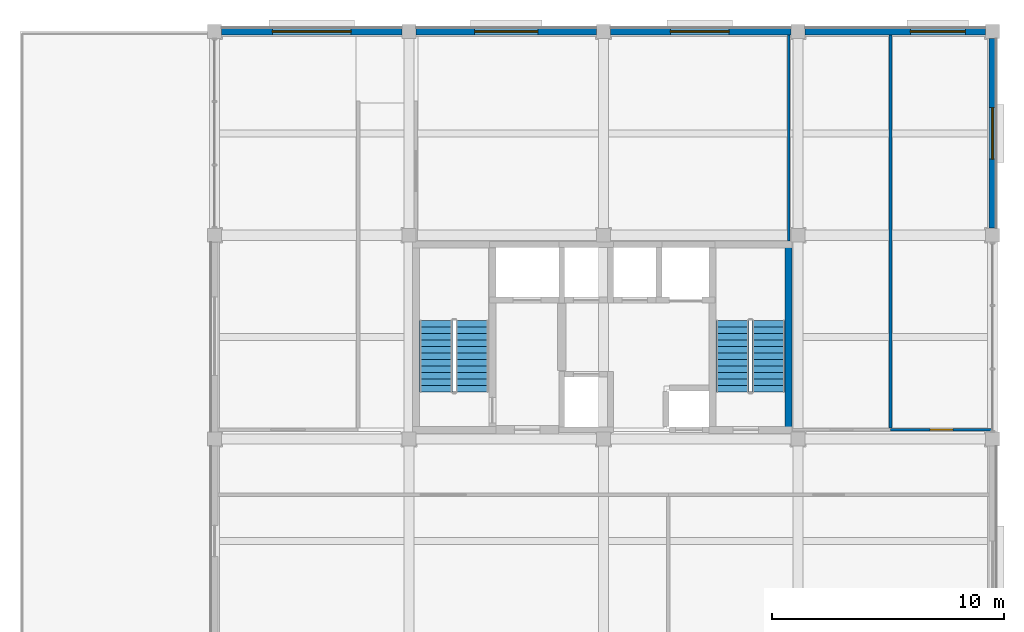
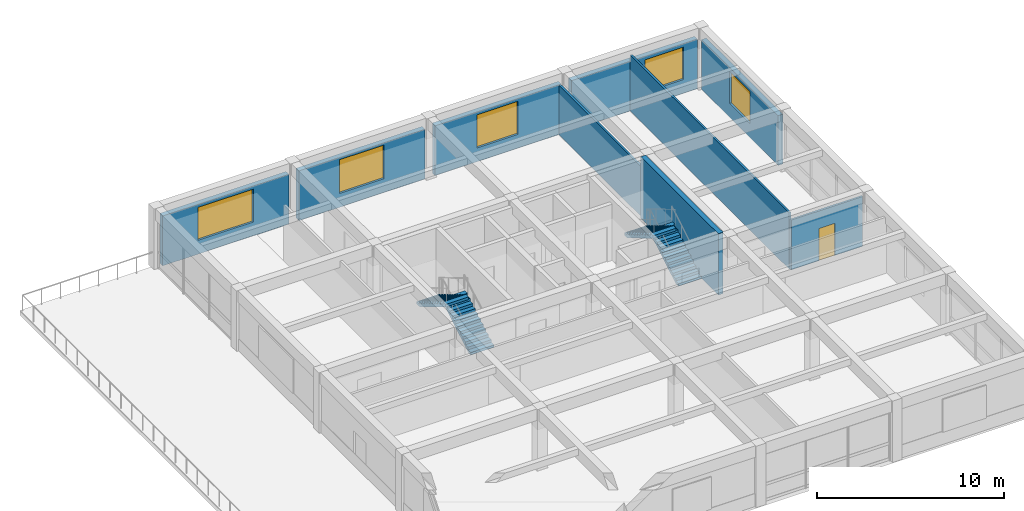
# One storey, part 7 of 10: 9 walls, 5 windows, 4 stair flights, 1 door, 6 openings, 2 elements without a shape of their own.
"""IFC4 building model written with IfcOpenShell, lengths in metres."""

import ifcopenshell
import ifcopenshell.guid

model = None  # the IFC model being written
_history = None  # IfcOwnerHistory: only IFC2X3 demands one
_inside = {}  # id of a spatial element -> (the spatial element, [elements in it])
_under = {}  # id of a project, library or spatial element -> (it, [spatial elements below it])
_declared = {}  # id of a project -> (the project, [libraries it declares])
_typed = {}  # id of a type object -> (the type object, [elements of that type])
_made_of = {}  # id of a material, layer set ... -> (it, [elements and type objects made of it])


def new_model(schema):
    """Start an empty IFC model of exactly this schema.

    Asked for "IFC4X3", IfcOpenShell would pick the latest addendum, in which some entities
    have other attributes; the version numbers below select the first issue.
    IFC2X3 requires an IfcOwnerHistory on every rooted entity: one is made here for all.
    """
    global model, _history
    if schema == "IFC4X3":
        model = ifcopenshell.file(schema_version=(4, 3, 0, 0))
    else:
        model = ifcopenshell.file(schema=schema)
    _inside.clear()
    _under.clear()
    _declared.clear()
    _typed.clear()
    _made_of.clear()
    _history = None
    if model.schema == "IFC2X3":
        org = make("IfcOrganization", Name="unknown")
        user = make(
            "IfcPersonAndOrganization",
            ThePerson=make("IfcPerson", FamilyName="unknown"),
            TheOrganization=org,
        )
        app = make(
            "IfcApplication",
            ApplicationDeveloper=org,
            Version="unknown",
            ApplicationFullName="unknown",
            ApplicationIdentifier="unknown",
        )
        _history = make(
            "IfcOwnerHistory",
            OwningUser=user,
            OwningApplication=app,
            ChangeAction="ADDED",
            CreationDate=0,
        )
    return model


def make(cls, **values):
    """One entity of the class cls with the attributes given. An attribute that is None is left unset."""
    return model.create_entity(
        cls, **{name: value for name, value in values.items() if value is not None}
    )


def rooted(cls, **values):
    """An entity with a GlobalId (a new one), such as an element, a storey or a relation."""
    return make(cls, GlobalId=ifcopenshell.guid.new(), OwnerHistory=_history, **values)


def si_unit(unit_type, name, prefix=None):
    """IfcSIUnit, for example si_unit("LENGTHUNIT", "METRE", prefix="MILLI")."""
    return make("IfcSIUnit", UnitType=unit_type, Prefix=prefix, Name=name)


def assignment(units):
    """IfcUnitAssignment: the units of a project."""
    return None if units is None else make("IfcUnitAssignment", Units=units)


def point(xyz):
    """IfcCartesianPoint."""
    return None if xyz is None else make("IfcCartesianPoint", Coordinates=xyz)


def direction(xyz):
    """IfcDirection."""
    return None if xyz is None else make("IfcDirection", DirectionRatios=xyz)


def frame(location, z_axis=None, x_axis=None):
    """IfcAxis2Placement3D, a coordinate frame: its origin and axes. An axis left out is left unset."""
    return make(
        "IfcAxis2Placement3D",
        Location=point(location),
        Axis=direction(z_axis),
        RefDirection=direction(x_axis),
    )


def frame_2d(location, x_axis=None):
    """IfcAxis2Placement2D, a coordinate frame in the plane: its origin and x axis."""
    return make(
        "IfcAxis2Placement2D", Location=point(location), RefDirection=direction(x_axis)
    )


def origin():
    """The frame at (0, 0, 0) with its axes left unset."""
    return frame((0.0, 0.0, 0.0))


def place(relative_to, where):
    """IfcLocalPlacement: puts the frame where relative to a parent placement (None: the world)."""
    return make(
        "IfcLocalPlacement", PlacementRelTo=relative_to, RelativePlacement=where
    )


def context(
    kind, dimensions, precision=None, world=None, true_north=None, identifier=None
):
    """IfcGeometricRepresentationContext, for example the 3D "Model" context."""
    return make(
        "IfcGeometricRepresentationContext",
        ContextIdentifier=identifier,
        ContextType=kind,
        CoordinateSpaceDimension=dimensions,
        Precision=precision,
        WorldCoordinateSystem=world,
        TrueNorth=true_north,
    )


def subcontext(parent, identifier, kind, view, scale=None):
    """IfcGeometricRepresentationSubContext, for example "Body" below "Model"."""
    return make(
        "IfcGeometricRepresentationSubContext",
        ContextIdentifier=identifier,
        ContextType=kind,
        ParentContext=parent,
        TargetScale=scale,
        TargetView=view,
    )


def project(units=None, contexts=None):
    """IfcProject with its units and contexts."""
    return rooted(
        "IfcProject",
        Name="project",
        RepresentationContexts=contexts,
        UnitsInContext=assignment(units),
    )


def spatial(cls, under=None, at=None, **own):
    """A site, building, storey or space (cls), placed at a placement, below another one or the project."""
    s = rooted(cls, ObjectPlacement=at, **own)
    if under is not None:
        _under.setdefault(under.id(), (under, []))[1].append(s)
    return s


def polyline(points):
    """IfcPolyline through the points."""
    return make("IfcPolyline", Points=[point(p) for p in points])


def profile(cls, at=None, kind="AREA", **sizes):
    """A parametric profile (cls). Its sizes go by their IFC names, for example OverallWidth=200.0."""
    return make(cls, ProfileType=kind, Position=at, **sizes)


def rectangle(**sizes):
    """IfcRectangleProfileDef."""
    return profile("IfcRectangleProfileDef", **sizes)


def outline(outer, holes=None, kind="AREA"):
    """IfcArbitraryClosedProfileDef: a profile drawn as a closed curve; with holes, ...WithVoids."""
    if holes is None:
        return make("IfcArbitraryClosedProfileDef", ProfileType=kind, OuterCurve=outer)
    return make(
        "IfcArbitraryProfileDefWithVoids",
        ProfileType=kind,
        OuterCurve=outer,
        InnerCurves=holes,
    )


def extrude(swept, where, along, depth):
    """IfcExtrudedAreaSolid: the profile swept, set in the frame where, extruded along a direction by depth."""
    return make(
        "IfcExtrudedAreaSolid",
        SweptArea=swept,
        Position=where,
        ExtrudedDirection=direction(along),
        Depth=depth,
    )


def shape(context_of_items, identifier, shape_type, items):
    """IfcShapeRepresentation: the items that make up one representation, for example the "Body"."""
    return make(
        "IfcShapeRepresentation",
        ContextOfItems=context_of_items,
        RepresentationIdentifier=identifier,
        RepresentationType=shape_type,
        Items=items,
    )


def material(Name=None, Category=None):
    """IfcMaterial."""
    return make("IfcMaterial", Name=Name, Category=Category)


def layer(
    of_material, thickness, ventilated=None, Name=None, Category=None, Priority=None
):
    """IfcMaterialLayer: one layer of a wall or slab, of a material (None: an air gap)."""
    return make(
        "IfcMaterialLayer",
        Material=of_material,
        LayerThickness=thickness,
        IsVentilated=ventilated,
        Name=Name,
        Category=Category,
        Priority=Priority,
    )


def layer_set(layers, Name=None):
    """IfcMaterialLayerSet."""
    return make("IfcMaterialLayerSet", MaterialLayers=layers, LayerSetName=Name)


def made_of(thing, what):
    """Note that an element or type object is made of a material, layer set ...; save() writes the relation."""
    if what is not None:
        _made_of.setdefault(what.id(), (what, []))[1].append(thing)
    return thing


def type_object(cls, material=None, **own):
    """A type object (cls), such as IfcWallType, which elements share."""
    return made_of(rooted(cls, **own), material)


def element(
    cls,
    number,
    at=None,
    inside=None,
    cuts=None,
    type_object=None,
    material=None,
    context=None,
    identifier="Body",
    shape_type=None,
    held_by="IfcProductDefinitionShape",
    body=None,
    shapes=None,
    **own,
):
    """One element of the class cls, such as IfcWall. Its Tag is "e" and its number.

    at: its placement. inside: the storey or other place that contains it. cuts: it is an
    opening in that element (IfcRelVoidsElement). A single representation is given by context,
    identifier, shape_type and body (its items); several are given by shapes. held_by: the class
    of the entity that holds the representations. save() writes the other relations.
    """
    e = rooted(cls, Tag="e%d" % number, ObjectPlacement=at, **own)
    if body is not None:
        shapes = [shape(context, identifier, shape_type, body)]
    if shapes is not None:
        e.Representation = make(held_by, Representations=shapes)
    if inside is not None:
        _inside.setdefault(inside.id(), (inside, []))[1].append(e)
    if cuts is not None:
        rooted(
            "IfcRelVoidsElement", RelatingBuildingElement=cuts, RelatedOpeningElement=e
        )
    if type_object is not None:
        _typed.setdefault(type_object.id(), (type_object, []))[1].append(e)
    return made_of(e, material)


def fill(opening, filler):
    """IfcRelFillsElement: the door or window that sits in an opening."""
    return rooted(
        "IfcRelFillsElement",
        RelatingOpeningElement=opening,
        RelatedBuildingElement=filler,
    )


def aggregate(whole, parts):
    """IfcRelAggregates: a whole, such as a stair, and the parts it consists of."""
    return rooted("IfcRelAggregates", RelatingObject=whole, RelatedObjects=parts)


def save(model, path):
    """Write the relations noted so far, then the file.

    IfcRelAggregates (storeys below a building ...), IfcRelContainedInSpatialStructure (elements
    in a storey), IfcRelDefinesByType, IfcRelAssociatesMaterial and IfcRelDeclares: one each for
    every whole, place, type object, material and project.
    """
    for whole, parts in _under.values():
        aggregate(whole, parts)
    for where, things in _inside.values():
        rooted(
            "IfcRelContainedInSpatialStructure",
            RelatedElements=things,
            RelatingStructure=where,
        )
    for kind, things in _typed.values():
        rooted("IfcRelDefinesByType", RelatedObjects=things, RelatingType=kind)
    for what, things in _made_of.values():
        rooted("IfcRelAssociatesMaterial", RelatedObjects=things, RelatingMaterial=what)
    for by, libraries in _declared.values():
        rooted("IfcRelDeclares", RelatingContext=by, RelatedDefinitions=libraries)
    model.write(path)


model = new_model("IFC4")

# Units and contexts
model_context = context("Model", 3, precision=1e-05, world=origin(), true_north=direction((0.0, 1.0)))
body_context = subcontext(model_context, "Body", "Model", "MODEL_VIEW")
ifc_project = project(units=[si_unit("LENGTHUNIT", "METRE"), si_unit("AREAUNIT", "SQUARE_METRE"), si_unit("VOLUMEUNIT", "CUBIC_METRE"), si_unit("PLANEANGLEUNIT", "RADIAN"), si_unit("MASSUNIT", "GRAM", prefix="KILO")], contexts=[model_context])

# Site, building, storey
site_placement = place(None, origin())
site = spatial("IfcSite", under=ifc_project, at=site_placement, CompositionType="ELEMENT")
building_placement = place(site_placement, origin())
building = spatial("IfcBuilding", under=site, at=building_placement, Name="Kemercrest Conservatory and Botanical Centre", CompositionType="ELEMENT")
storey_placement = place(building_placement, frame((0.0, 0.0, 48.199951171875)))
storey = spatial("IfcBuildingStorey", under=building, at=storey_placement, Name="L12", CompositionType="ELEMENT", Elevation=48.199951171875)

# Wall
ifc_material_1 = material(Name="Concrete C50/60", Category="concrete")
ifc_layer_1 = layer(ifc_material_1, 0.300048828125)
ifc_layer_set_1 = layer_set([ifc_layer_1], Name="Concrete C50/60")
wall_type_1 = type_object("IfcWallType", Name="CW-STAIR", PredefinedType="SHEAR", material=ifc_layer_set_1)
wall_1_placement = place(storey_placement, frame((167.199951171875, 105.050048828125, 0.0), z_axis=(0.0, 0.0, 1.0), x_axis=(0.0, 1.0, 0.0)))
element("IfcWall", 1, at=wall_1_placement, inside=storey, type_object=wall_type_1, Name="Stair core ST-V4B shear wall E", PredefinedType="SHEAR", context=body_context, shape_type="SweptSolid", body=[
    extrude(rectangle(XDim=8.300048828125, YDim=0.300048828125, at=frame_2d((4.14990234375, 0.0))), origin(), (0.0, 0.0, 1.0), 4.0),
])

# Wall, opening, window
ifc_material_2 = material(Name="Precast concrete C40/50", Category="concrete")
ifc_layer_2 = layer(ifc_material_2, 0.300048828125)
ifc_layer_set_2 = layer_set([ifc_layer_2], Name="Precast concrete C40/50")
wall_type_2 = type_object("IfcWallType", Name="W-EXT300", PredefinedType="SOLIDWALL", material=ifc_layer_set_2)
wall_2_placement = place(storey_placement, frame((176.0, 113.909912109375, 0.0), z_axis=(0.0, 0.0, 1.0), x_axis=(0.0, 1.0, 0.0)))
wall_2 = element("IfcWall", 2, at=wall_2_placement, inside=storey, type_object=wall_type_2, Name="Exterior almasik wall W-EXT300 (WAL:L12:EXT-315)", PredefinedType="SOLIDWALL", context=body_context, shape_type="SweptSolid", body=[
    extrude(rectangle(XDim=8.18017578125, YDim=0.300048828125, at=frame_2d((4.090087890625, 0.0))), origin(), (0.0, 0.0, 1.0), 3.25),
])
opening_1_placement = place(wall_2_placement, frame((2.97998046875, 0.0, 0.89990234375)))
opening_1 = element("IfcOpeningElement", 3, at=opening_1_placement, cuts=wall_2, Name="Opening WT-52", PredefinedType="OPENING", context=body_context, shape_type="SweptSolid", body=[
    extrude(rectangle(XDim=2.219970703125, YDim=2.080078125, at=frame_2d((1.10986328125, 1.0400390625))), frame((0.0, 0.16015625, 0.0), z_axis=(0.0, -1.0, 0.0), x_axis=(1.0, 0.0, 0.0)), (0.0, 0.0, 1.0), 0.320068359375),
])
ifc_material_3 = material(Name="Thermally broken bronze-anodized aluminium and triple glazing", Category="aluminium")
window_type_1 = type_object("IfcWindowType", Name="WT-52", PartitioningType="SINGLE_PANEL", PredefinedType="WINDOW", material=ifc_material_3)
window_1_placement = place(opening_1_placement, origin())
window_1 = element("IfcWindow", 4, at=window_1_placement, inside=storey, type_object=window_type_1, Name="Exterior window WT-52 (WIN:L12:EXT-315)", OverallHeight=2.080078125, OverallWidth=2.219970703125, PartitioningType="SINGLE_PANEL", PredefinedType="WINDOW", context=body_context, shape_type="SweptSolid", body=[
    extrude(rectangle(XDim=2.219970703125, YDim=2.080078125, at=frame_2d((1.10986328125, 1.0400390625))), frame((0.0, 0.030029296875, 0.0), z_axis=(0.0, -1.0, 0.0), x_axis=(1.0, 0.0, 0.0)), (0.0, 0.0, 1.0), 0.06005859375),
])
fill(opening_1, window_1)

wall_3_placement = place(storey_placement, frame((175.68994140625, 122.39990234375, 0.0), z_axis=(0.0, 0.0, 1.0), x_axis=(-1.0, 0.0, 0.0)))
wall_3 = element("IfcWall", 5, at=wall_3_placement, inside=storey, type_object=wall_type_2, Name="Exterior almasik wall W-EXT300 (WAL:L12:EXT-316)", PredefinedType="SOLIDWALL", context=body_context, shape_type="SweptSolid", body=[
    extrude(rectangle(XDim=7.780029296875, YDim=0.300048828125, at=frame_2d((3.89013671875, 0.0))), origin(), (0.0, 0.0, 1.0), 3.25),
])
opening_2_placement = place(wall_3_placement, frame((0.85498046875, 0.0, 0.89990234375)))
opening_2 = element("IfcOpeningElement", 6, at=opening_2_placement, cuts=wall_3, Name="Opening WT-53", PredefinedType="OPENING", context=body_context, shape_type="SweptSolid", body=[
    extrude(rectangle(XDim=2.3798828125, YDim=2.1201171875, at=frame_2d((1.18994140625, 1.06005859375))), frame((0.0, 0.16015625, 0.0), z_axis=(0.0, -1.0, 0.0), x_axis=(1.0, 0.0, 0.0)), (0.0, 0.0, 1.0), 0.320068359375),
])
window_type_2 = type_object("IfcWindowType", Name="WT-53", PartitioningType="SINGLE_PANEL", PredefinedType="WINDOW", material=ifc_material_3)
window_2_placement = place(opening_2_placement, origin())
window_2 = element("IfcWindow", 7, at=window_2_placement, inside=storey, type_object=window_type_2, Name="Exterior window WT-53 (WIN:L12:EXT-316)", OverallHeight=2.1201171875, OverallWidth=2.3798828125, PartitioningType="SINGLE_PANEL", PredefinedType="WINDOW", context=body_context, shape_type="SweptSolid", body=[
    extrude(rectangle(XDim=2.3798828125, YDim=2.1201171875, at=frame_2d((1.18994140625, 1.06005859375))), frame((0.0, 0.030029296875, 0.0), z_axis=(0.0, -1.0, 0.0), x_axis=(1.0, 0.0, 0.0)), (0.0, 0.0, 1.0), 0.06005859375),
])
fill(opening_2, window_2)

wall_4_placement = place(storey_placement, frame((167.2900390625, 122.39990234375, 0.0), z_axis=(0.0, 0.0, 1.0), x_axis=(-1.0, 0.0, 0.0)))
wall_4 = element("IfcWall", 8, at=wall_4_placement, inside=storey, type_object=wall_type_2, Name="Exterior almasik wall W-EXT300 (WAL:L12:EXT-317)", PredefinedType="SOLIDWALL", context=body_context, shape_type="SweptSolid", body=[
    extrude(rectangle(XDim=7.780029296875, YDim=0.300048828125, at=frame_2d((3.89013671875, 0.0))), origin(), (0.0, 0.0, 1.0), 3.25),
])
opening_3_placement = place(wall_4_placement, frame((2.6650390625, 0.0, 0.89990234375)))
opening_3 = element("IfcOpeningElement", 9, at=opening_3_placement, cuts=wall_4, Name="Opening WT-54", PredefinedType="OPENING", context=body_context, shape_type="SweptSolid", body=[
    extrude(rectangle(XDim=2.5400390625, YDim=2.159912109375, at=frame_2d((1.27001953125, 1.080078125))), frame((0.0, 0.16015625, 0.0), z_axis=(0.0, -1.0, 0.0), x_axis=(1.0, 0.0, 0.0)), (0.0, 0.0, 1.0), 0.320068359375),
])
window_type_3 = type_object("IfcWindowType", Name="WT-54", PartitioningType="SINGLE_PANEL", PredefinedType="WINDOW", material=ifc_material_3)
window_3_placement = place(opening_3_placement, origin())
window_3 = element("IfcWindow", 10, at=window_3_placement, inside=storey, type_object=window_type_3, Name="Exterior window WT-54 (WIN:L12:EXT-317)", OverallHeight=2.159912109375, OverallWidth=2.5400390625, PartitioningType="SINGLE_PANEL", PredefinedType="WINDOW", context=body_context, shape_type="SweptSolid", body=[
    extrude(rectangle(XDim=2.5400390625, YDim=2.159912109375, at=frame_2d((1.27001953125, 1.080078125))), frame((0.0, 0.030029296875, 0.0), z_axis=(0.0, -1.0, 0.0), x_axis=(1.0, 0.0, 0.0)), (0.0, 0.0, 1.0), 0.06005859375),
])
fill(opening_3, window_3)

wall_5_placement = place(storey_placement, frame((158.889892578125, 122.39990234375, 0.0), z_axis=(0.0, 0.0, 1.0), x_axis=(-1.0, 0.0, 0.0)))
wall_5 = element("IfcWall", 11, at=wall_5_placement, inside=storey, type_object=wall_type_2, Name="Exterior almasik wall W-EXT300 (WAL:L12:EXT-318)", PredefinedType="SOLIDWALL", context=body_context, shape_type="SweptSolid", body=[
    extrude(rectangle(XDim=7.77978515625, YDim=0.300048828125, at=frame_2d((3.889892578125, 0.0))), origin(), (0.0, 0.0, 1.0), 3.25),
])
opening_4_placement = place(wall_5_placement, frame((2.52001953125, 0.0, 0.89990234375)))
opening_4 = element("IfcOpeningElement", 12, at=opening_4_placement, cuts=wall_5, Name="Opening WT-55", PredefinedType="OPENING", context=body_context, shape_type="SweptSolid", body=[
    extrude(rectangle(XDim=2.739990234375, YDim=2.199951171875, at=frame_2d((1.3701171875, 1.10009765625))), frame((0.0, 0.16015625, 0.0), z_axis=(0.0, -1.0, 0.0), x_axis=(1.0, 0.0, 0.0)), (0.0, 0.0, 1.0), 0.320068359375),
])
window_type_4 = type_object("IfcWindowType", Name="WT-55", PartitioningType="SINGLE_PANEL", PredefinedType="WINDOW", material=ifc_material_3)
window_4_placement = place(opening_4_placement, origin())
window_4 = element("IfcWindow", 13, at=window_4_placement, inside=storey, type_object=window_type_4, Name="Exterior window WT-55 (WIN:L12:EXT-318)", OverallHeight=2.199951171875, OverallWidth=2.739990234375, PartitioningType="SINGLE_PANEL", PredefinedType="WINDOW", context=body_context, shape_type="SweptSolid", body=[
    extrude(rectangle(XDim=2.739990234375, YDim=2.199951171875, at=frame_2d((1.3701171875, 1.10009765625))), frame((0.0, 0.030029296875, 0.0), z_axis=(0.0, -1.0, 0.0), x_axis=(1.0, 0.0, 0.0)), (0.0, 0.0, 1.0), 0.06005859375),
])
fill(opening_4, window_4)

wall_6_placement = place(storey_placement, frame((150.489990234375, 122.39990234375, 0.0), z_axis=(0.0, 0.0, 1.0), x_axis=(-1.0, 0.0, 0.0)))
wall_6 = element("IfcWall", 14, at=wall_6_placement, inside=storey, type_object=wall_type_2, Name="Exterior almasik wall W-EXT300 (WAL:L12:EXT-319)", PredefinedType="SOLIDWALL", context=body_context, shape_type="SweptSolid", body=[
    extrude(rectangle(XDim=7.780029296875, YDim=0.300048828125, at=frame_2d((3.89013671875, 0.0))), origin(), (0.0, 0.0, 1.0), 3.25),
])
opening_5_placement = place(wall_6_placement, frame((2.18994140625, 0.0, 0.89990234375)))
opening_5 = element("IfcOpeningElement", 15, at=opening_5_placement, cuts=wall_6, Name="Opening WT-20", PredefinedType="OPENING", context=body_context, shape_type="SweptSolid", body=[
    extrude(rectangle(XDim=3.39990234375, YDim=2.14990234375, at=frame_2d((1.699951171875, 1.074951171875))), frame((0.0, 0.16015625, 0.0), z_axis=(0.0, -1.0, 0.0), x_axis=(1.0, 0.0, 0.0)), (0.0, 0.0, 1.0), 0.320068359375),
])
window_type_5 = type_object("IfcWindowType", Name="WT-20", PartitioningType="SINGLE_PANEL", PredefinedType="WINDOW", material=ifc_material_3)
window_5_placement = place(opening_5_placement, origin())
window_5 = element("IfcWindow", 16, at=window_5_placement, inside=storey, type_object=window_type_5, Name="Exterior window WT-20 (WIN:L12:EXT-319)", OverallHeight=2.14990234375, OverallWidth=3.39990234375, PartitioningType="SINGLE_PANEL", PredefinedType="WINDOW", context=body_context, shape_type="SweptSolid", body=[
    extrude(rectangle(XDim=3.39990234375, YDim=2.14990234375, at=frame_2d((1.699951171875, 1.074951171875))), frame((0.0, 0.030029296875, 0.0), z_axis=(0.0, -1.0, 0.0), x_axis=(1.0, 0.0, 0.0)), (0.0, 0.0, 1.0), 0.06005859375),
])
fill(opening_5, window_5)

# Wall, opening, door
ifc_material_4 = material(Name="Moisture-resistant gypsum board partition", Category="gypsum")
ifc_layer_3 = layer(ifc_material_4, 0.125)
ifc_layer_set_3 = layer_set([ifc_layer_3], Name="Moisture-resistant gypsum board partition")
wall_type_3 = type_object("IfcWallType", Name="W-PART125", PredefinedType="PARTITIONING", material=ifc_layer_set_3)
wall_7_placement = place(storey_placement, frame((171.60009765625, 105.199951171875, 0.0), z_axis=(0.0, 0.0, 1.0), x_axis=(1.0, 0.0, 0.0)))
wall_7 = element("IfcWall", 17, at=wall_7_placement, inside=storey, type_object=wall_type_3, Name="Interior partition W-PART125 #272", PredefinedType="PARTITIONING", context=body_context, shape_type="SweptSolid", body=[
    extrude(rectangle(XDim=4.39990234375, YDim=0.125, at=frame_2d((2.199951171875, 0.0))), origin(), (0.0, 0.0, 1.0), 3.2451171875),
])
opening_6_placement = place(wall_7_placement, frame((1.7099609375, 0.0, 0.0)))
opening_6 = element("IfcOpeningElement", 18, at=opening_6_placement, cuts=wall_7, Name="Opening D261", PredefinedType="OPENING", context=body_context, shape_type="SweptSolid", body=[
    extrude(rectangle(XDim=0.97998046875, YDim=2.10009765625, at=frame_2d((0.489990234375, 1.050048828125))), frame((0.0, 0.072509765625, 0.0), z_axis=(0.0, -1.0, 0.0), x_axis=(1.0, 0.0, 0.0)), (0.0, 0.0, 1.0), 0.14501953125),
])
ifc_material_5 = material(Name="FSC solid-core white oak veneer and anodized aluminium frame", Category="aluminium")
door_type = type_object("IfcDoorType", Name="DT-02", OperationType="NOTDEFINED", PredefinedType="DOOR", material=ifc_material_5)
door_placement = place(opening_6_placement, origin())
door = element("IfcDoor", 19, at=door_placement, inside=storey, type_object=door_type, Name="Accessible Washroom door D261", OperationType="SINGLE_SWING_LEFT", OverallHeight=2.10009765625, OverallWidth=0.97998046875, PredefinedType="DOOR", context=body_context, shape_type="SweptSolid", body=[
    extrude(rectangle(XDim=0.97998046875, YDim=2.10009765625, at=frame_2d((0.489990234375, 1.050048828125))), frame((0.0, 0.02490234375, 0.0), z_axis=(0.0, -1.0, 0.0), x_axis=(1.0, 0.0, 0.0)), (0.0, 0.0, 1.0), 0.050048828125),
])
fill(opening_6, door)

# Walls
wall_8_placement = place(storey_placement, frame((167.199951171875, 113.35498046875, 0.0), z_axis=(0.0, 0.0, 1.0), x_axis=(0.0, 1.0, 0.0)))
element("IfcWall", 20, at=wall_8_placement, inside=storey, type_object=wall_type_3, Name="Interior partition W-PART125 #276", PredefinedType="PARTITIONING", context=body_context, shape_type="SweptSolid", body=[
    extrude(rectangle(XDim=8.89013671875, YDim=0.125, at=frame_2d((4.445068359375, 0.0))), origin(), (0.0, 0.0, 1.0), 3.2451171875),
])
wall_9_placement = place(storey_placement, frame((171.60009765625, 105.267578125, 0.0), z_axis=(0.0, 0.0, 1.0), x_axis=(0.0, 1.0, 0.0)))
element("IfcWall", 21, at=wall_9_placement, inside=storey, type_object=wall_type_3, Name="Interior partition W-PART125 #277", PredefinedType="PARTITIONING", context=body_context, shape_type="SweptSolid", body=[
    extrude(rectangle(XDim=16.9775390625, YDim=0.125, at=frame_2d((8.48876953125, 0.0))), origin(), (0.0, 0.0, 1.0), 3.6650390625),
])

# Stair, stair flights
ifc_material_6 = material(Name="Concrete C40/50", Category="concrete")
stair_type = type_object("IfcStairType", Name="ST-142-40", PredefinedType="HALF_TURN_STAIR", material=ifc_material_6)
stair_1_placement = place(storey_placement, origin())
stair_1 = element("IfcStair", 22, at=stair_1_placement, inside=storey, type_object=stair_type, Name="L12 Exit stair ST-V4A", PredefinedType="HALF_TURN_STAIR")
stair_flight_type = type_object("IfcStairFlightType", Name="FL-142-40", PredefinedType="STRAIGHT", material=ifc_material_6)
stair_flight_1_placement = place(storey_placement, frame((153.530029296875, 106.840087890625, 0.0), z_axis=(0.0, 0.0, 1.0), x_axis=(0.0, 1.0, 0.0)))
stair_flight_1 = element("IfcStairFlight", 23, at=stair_flight_1_placement, type_object=stair_flight_type, Name="ST-V4A flight 1", NumberOfRisers=12, NumberOfTreads=11, PredefinedType="STRAIGHT", RiserHeight=0.166666667, TreadLength=0.28, context=body_context, shape_type="SweptSolid", body=[
    extrude(outline(polyline([(0.0, 0.0), (0.0, 0.166748046875), (0.280029296875, 0.166748046875), (0.280029296875, 0.333251953125), (0.56005859375, 0.333251953125), (0.56005859375, 0.5), (0.840087890625, 0.5), (0.840087890625, 0.666748046875), (1.1201171875, 0.666748046875), (1.1201171875, 0.833251953125), (1.39990234375, 0.833251953125), (1.39990234375, 1.0), (1.679931640625, 1.0), (1.679931640625, 1.166748046875), (1.9599609375, 1.166748046875), (1.9599609375, 1.333251953125), (2.239990234375, 1.333251953125), (2.239990234375, 1.5), (2.52001953125, 1.5), (2.52001953125, 1.666748046875), (2.800048828125, 1.666748046875), (2.800048828125, 1.833251953125), (3.080078125, 1.833251953125), (3.080078125, 2.0), (3.080078125, 1.658935546875), (0.29296875, 0.0), (0.0, 0.0)])), frame((0.0, 0.7099609375, 0.0), z_axis=(0.0, -1.0, 0.0), x_axis=(1.0, 0.0, 0.0)), (0.0, 0.0, 1.0), 1.419921875),
])
stair_flight_2_placement = place(storey_placement, frame((151.969970703125, 109.919921875, 2.0), z_axis=(0.0, 0.0, 1.0), x_axis=(0.0, -1.0, 0.0)))
stair_flight_2 = element("IfcStairFlight", 24, at=stair_flight_2_placement, type_object=stair_flight_type, Name="ST-V4A flight 2", NumberOfRisers=12, NumberOfTreads=11, PredefinedType="STRAIGHT", RiserHeight=0.166666667, TreadLength=0.28, context=body_context, shape_type="SweptSolid", body=[
    extrude(outline(polyline([(0.0, 0.0), (0.0, 0.166748046875), (0.280029296875, 0.166748046875), (0.280029296875, 0.333251953125), (0.56005859375, 0.333251953125), (0.56005859375, 0.5), (0.840087890625, 0.5), (0.840087890625, 0.666748046875), (1.1201171875, 0.666748046875), (1.1201171875, 0.833251953125), (1.39990234375, 0.833251953125), (1.39990234375, 1.0), (1.679931640625, 1.0), (1.679931640625, 1.166748046875), (1.9599609375, 1.166748046875), (1.9599609375, 1.333251953125), (2.239990234375, 1.333251953125), (2.239990234375, 1.5), (2.52001953125, 1.5), (2.52001953125, 1.666748046875), (2.800048828125, 1.666748046875), (2.800048828125, 1.833251953125), (3.080078125, 1.833251953125), (3.080078125, 2.0), (3.080078125, 1.658935546875), (0.29296875, 0.0), (0.0, 0.0)])), frame((0.0, 0.7099609375, 0.0), z_axis=(0.0, -1.0, 0.0), x_axis=(1.0, 0.0, 0.0)), (0.0, 0.0, 1.0), 1.419921875),
])
aggregate(stair_1, [stair_flight_1, stair_flight_2])

stair_2_placement = place(storey_placement, origin())
stair_2 = element("IfcStair", 25, at=stair_2_placement, inside=storey, type_object=stair_type, Name="L12 Exit stair ST-V4B", PredefinedType="HALF_TURN_STAIR")
stair_flight_3_placement = place(storey_placement, frame((166.330078125, 106.840087890625, 0.0), z_axis=(0.0, 0.0, 1.0), x_axis=(0.0, 1.0, 0.0)))
stair_flight_3 = element("IfcStairFlight", 26, at=stair_flight_3_placement, type_object=stair_flight_type, Name="ST-V4B flight 1", NumberOfRisers=12, NumberOfTreads=11, PredefinedType="STRAIGHT", RiserHeight=0.166666667, TreadLength=0.28, context=body_context, shape_type="SweptSolid", body=[
    extrude(outline(polyline([(0.0, 0.0), (0.0, 0.166748046875), (0.280029296875, 0.166748046875), (0.280029296875, 0.333251953125), (0.56005859375, 0.333251953125), (0.56005859375, 0.5), (0.840087890625, 0.5), (0.840087890625, 0.666748046875), (1.1201171875, 0.666748046875), (1.1201171875, 0.833251953125), (1.39990234375, 0.833251953125), (1.39990234375, 1.0), (1.679931640625, 1.0), (1.679931640625, 1.166748046875), (1.9599609375, 1.166748046875), (1.9599609375, 1.333251953125), (2.239990234375, 1.333251953125), (2.239990234375, 1.5), (2.52001953125, 1.5), (2.52001953125, 1.666748046875), (2.800048828125, 1.666748046875), (2.800048828125, 1.833251953125), (3.080078125, 1.833251953125), (3.080078125, 2.0), (3.080078125, 1.658935546875), (0.29296875, 0.0), (0.0, 0.0)])), frame((0.0, 0.7099609375, 0.0), z_axis=(0.0, -1.0, 0.0), x_axis=(1.0, 0.0, 0.0)), (0.0, 0.0, 1.0), 1.419921875),
])
stair_flight_4_placement = place(storey_placement, frame((164.77001953125, 109.919921875, 2.0), z_axis=(0.0, 0.0, 1.0), x_axis=(0.0, -1.0, 0.0)))
stair_flight_4 = element("IfcStairFlight", 27, at=stair_flight_4_placement, type_object=stair_flight_type, Name="ST-V4B flight 2", NumberOfRisers=12, NumberOfTreads=11, PredefinedType="STRAIGHT", RiserHeight=0.166666667, TreadLength=0.28, context=body_context, shape_type="SweptSolid", body=[
    extrude(outline(polyline([(0.0, 0.0), (0.0, 0.166748046875), (0.280029296875, 0.166748046875), (0.280029296875, 0.333251953125), (0.56005859375, 0.333251953125), (0.56005859375, 0.5), (0.840087890625, 0.5), (0.840087890625, 0.666748046875), (1.1201171875, 0.666748046875), (1.1201171875, 0.833251953125), (1.39990234375, 0.833251953125), (1.39990234375, 1.0), (1.679931640625, 1.0), (1.679931640625, 1.166748046875), (1.9599609375, 1.166748046875), (1.9599609375, 1.333251953125), (2.239990234375, 1.333251953125), (2.239990234375, 1.5), (2.52001953125, 1.5), (2.52001953125, 1.666748046875), (2.800048828125, 1.666748046875), (2.800048828125, 1.833251953125), (3.080078125, 1.833251953125), (3.080078125, 2.0), (3.080078125, 1.658935546875), (0.29296875, 0.0), (0.0, 0.0)])), frame((0.0, 0.7099609375, 0.0), z_axis=(0.0, -1.0, 0.0), x_axis=(1.0, 0.0, 0.0)), (0.0, 0.0, 1.0), 1.419921875),
])
aggregate(stair_2, [stair_flight_3, stair_flight_4])

save(model, "model.ifc")
